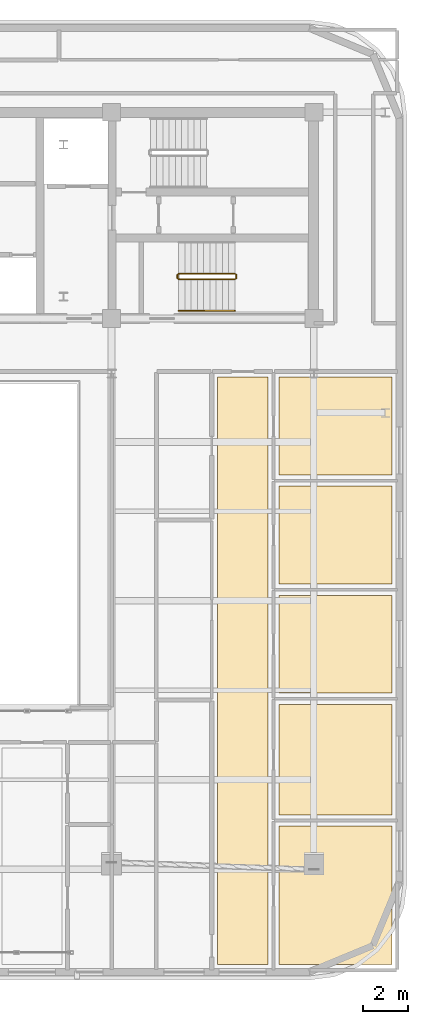
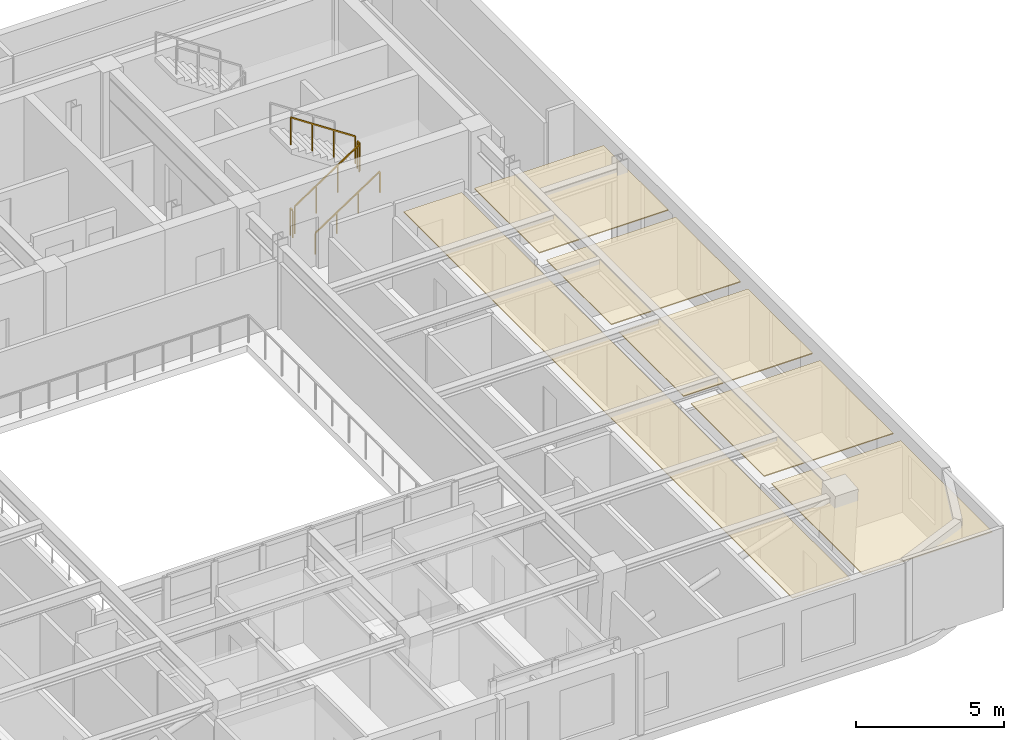
# One storey, part 13 of 14: 6 coverings, 5 railings.
"""IFC4 building model written with IfcOpenShell, lengths in metres."""

from ifc_helpers import new_model, si_unit, direction, frame, origin, origin_2d, place, context, subcontext, project, spatial, polyline, rectangle, outline, extrude, material, layer, layer_set, type_object, element, save


model = new_model("IFC4")

# Units and contexts
model_context = context("Model", 3, precision=1e-05, world=origin(), true_north=direction((0.0, 1.0)))
body_context = subcontext(model_context, "Body", "Model", "MODEL_VIEW")
ifc_project = project(units=[si_unit("LENGTHUNIT", "METRE"), si_unit("AREAUNIT", "SQUARE_METRE"), si_unit("VOLUMEUNIT", "CUBIC_METRE"), si_unit("PLANEANGLEUNIT", "RADIAN"), si_unit("MASSUNIT", "GRAM", prefix="KILO")], contexts=[model_context])

# Site, building, storey
site_placement = place(None, origin())
site = spatial("IfcSite", under=ifc_project, at=site_placement, CompositionType="ELEMENT")
building_placement = place(site_placement, origin())
building = spatial("IfcBuilding", under=site, at=building_placement, Name="Zarnavel Station Tower", CompositionType="ELEMENT")
storey_placement = place(building_placement, frame((0.0, 0.0, 251.0)))
storey = spatial("IfcBuildingStorey", under=building, at=storey_placement, Name="L68", CompositionType="ELEMENT", Elevation=251.0)

# Coverings
ifc_material_1 = material(Name="Perforated Gypsum and Mineral-Wool Acoustic Ceiling", Category="concrete")
ifc_layer = layer(ifc_material_1, 0.0400390625)
ifc_layer_set = layer_set([ifc_layer], Name="COV_CEIL_ACOUSTIC")
covering_type = type_object("IfcCoveringType", Name="COV_CEIL_ACOUSTIC", PredefinedType="CEILING", material=ifc_layer_set)
covering_1_placement = place(storey_placement, frame((0.0, 0.0, 3.10009765625)))
element("IfcCovering", 1, at=covering_1_placement, inside=storey, type_object=covering_type, Name="L68 UE1LV Acoustic Ceiling", PredefinedType="CEILING", context=body_context, shape_type="SweptSolid", body=[
    extrude(outline(polyline([(41.08203125, -1.090087890625), (43.343994140625, -1.090087890625), (43.343994140625, 25.199951171875), (41.08203125, 25.199951171875), (41.08203125, -1.090087890625)])), origin(), (0.0, 0.0, 1.0), 0.039794921875),
])
covering_2_placement = place(storey_placement, frame((0.0, 0.0, 3.10009765625)))
element("IfcCovering", 2, at=covering_2_placement, inside=storey, type_object=covering_type, Name="L68 UE1B1 Acoustic Ceiling", PredefinedType="CEILING", context=body_context, shape_type="SweptSolid", body=[
    extrude(outline(polyline([(43.843994140625, -1.090087890625), (48.889892578125, -1.090087890625), (48.889892578125, 5.10693359375), (43.843994140625, 5.10693359375), (43.843994140625, -1.090087890625)])), origin(), (0.0, 0.0, 1.0), 0.039794921875),
])
covering_3_placement = place(storey_placement, frame((0.0, 0.0, 3.10009765625)))
element("IfcCovering", 3, at=covering_3_placement, inside=storey, type_object=covering_type, Name="L68 UE1B2 Acoustic Ceiling", PredefinedType="CEILING", context=body_context, shape_type="SweptSolid", body=[
    extrude(outline(polyline([(43.843994140625, 5.60693359375), (48.889892578125, 5.60693359375), (48.889892578125, 10.555908203125), (43.843994140625, 10.555908203125), (43.843994140625, 5.60693359375)])), origin(), (0.0, 0.0, 1.0), 0.039794921875),
])
covering_4_placement = place(storey_placement, frame((0.0, 0.0, 3.10009765625)))
element("IfcCovering", 4, at=covering_4_placement, inside=storey, type_object=covering_type, Name="L68 UE1B3 Acoustic Ceiling", PredefinedType="CEILING", context=body_context, shape_type="SweptSolid", body=[
    extrude(outline(polyline([(43.843994140625, 11.055908203125), (48.889892578125, 11.055908203125), (48.889892578125, 15.43701171875), (43.843994140625, 15.43701171875), (43.843994140625, 11.055908203125)])), origin(), (0.0, 0.0, 1.0), 0.039794921875),
])
covering_5_placement = place(storey_placement, frame((0.0, 0.0, 3.10009765625)))
element("IfcCovering", 5, at=covering_5_placement, inside=storey, type_object=covering_type, Name="L68 UE1B4 Acoustic Ceiling", PredefinedType="CEILING", context=body_context, shape_type="SweptSolid", body=[
    extrude(outline(polyline([(43.843994140625, 15.93701171875), (48.889892578125, 15.93701171875), (48.889892578125, 20.318115234375), (43.843994140625, 20.318115234375), (43.843994140625, 15.93701171875)])), origin(), (0.0, 0.0, 1.0), 0.039794921875),
])
covering_6_placement = place(storey_placement, frame((0.0, 0.0, 3.10009765625)))
element("IfcCovering", 6, at=covering_6_placement, inside=storey, type_object=covering_type, Name="L68 UE1B5 Acoustic Ceiling", PredefinedType="CEILING", context=body_context, shape_type="SweptSolid", body=[
    extrude(outline(polyline([(43.843994140625, 20.818115234375), (48.889892578125, 20.818115234375), (48.889892578125, 25.199951171875), (43.843994140625, 25.199951171875), (43.843994140625, 20.818115234375)])), origin(), (0.0, 0.0, 1.0), 0.039794921875),
])

# Railings
ifc_material_2 = material(Name="Painted Steel S355J2 Balustrade", Category="steel")
railing_type_1 = type_object("IfcRailingType", Name="GR_INT_1150", PredefinedType="GUARDRAIL", material=ifc_material_2)
railing_1_placement = place(storey_placement, frame((39.35009765625, 29.570068359375, 0.18505859375)))
element("IfcRailing", 7, at=railing_1_placement, inside=storey, type_object=railing_type_1, Name="L68 ST3 stair guard 1", PredefinedType="GUARDRAIL", context=body_context, shape_type="SweptSolid", body=[
    extrude(rectangle(XDim=0.048095703125, YDim=0.048095703125, at=origin_2d()), frame((0.001708984375, 0.0, 1.126953125), z_axis=(0.834331337432, 0.0, 0.55126329406), x_axis=(0.0, 1.0, 0.0)), (0.0, 0.0, 1.0), 3.016357421875),
    extrude(rectangle(XDim=0.0419921875, YDim=0.0419921875, at=origin_2d()), origin(), (0.0, 0.0, 1.0), 1.101806640625),
    extrude(rectangle(XDim=0.0419921875, YDim=0.0419921875, at=origin_2d()), frame((0.840087890625, 0.0, 0.554931640625)), (0.0, 0.0, 1.0), 1.101806640625),
    extrude(rectangle(XDim=0.0419921875, YDim=0.0419921875, at=origin_2d()), frame((1.679931640625, 0.0, 1.110107421875)), (0.0, 0.0, 1.0), 1.101806640625),
    extrude(rectangle(XDim=0.0419921875, YDim=0.0419921875, at=origin_2d()), frame((2.52001953125, 0.0, 1.6650390625)), (0.0, 0.0, 1.0), 1.101806640625),
])
railing_2_placement = place(storey_placement, frame((41.919921875, 29.6201171875, 1.85009765625)))
element("IfcRailing", 8, at=railing_2_placement, inside=storey, type_object=railing_type_1, Name="L68 ST3 stair guard 2", PredefinedType="GUARDRAIL", context=body_context, shape_type="SweptSolid", body=[
    extrude(rectangle(XDim=0.048095703125, YDim=0.048095703125, at=origin_2d()), frame((0.0, 0.001953125, 1.1259765625), z_axis=(0.0, 1.0, 0.0), x_axis=(-1.0, 0.0, 0.0)), (0.0, 0.0, 1.0), 0.156005859375),
    extrude(rectangle(XDim=0.0419921875, YDim=0.0419921875, at=origin_2d()), origin(), (0.0, 0.0, 1.0), 1.101806640625),
    extrude(rectangle(XDim=0.0419921875, YDim=0.0419921875, at=origin_2d()), frame((0.0, 0.159912109375, 0.0)), (0.0, 0.0, 1.0), 1.101806640625),
])
railing_3_placement = place(storey_placement, frame((41.8701171875, 29.830078125, 2.034912109375)))
element("IfcRailing", 9, at=railing_3_placement, inside=storey, type_object=railing_type_1, Name="L68 ST3 stair guard 3", PredefinedType="GUARDRAIL", context=body_context, shape_type="SweptSolid", body=[
    extrude(rectangle(XDim=0.048095703125, YDim=0.048095703125, at=origin_2d()), frame((-0.001708984375, 0.0, 1.126953125), z_axis=(-0.834331337432, 0.0, 0.55126329406), x_axis=(0.0, -1.0, 0.0)), (0.0, 0.0, 1.0), 3.016357421875),
    extrude(rectangle(XDim=0.0419921875, YDim=0.0419921875, at=origin_2d()), origin(), (0.0, 0.0, 1.0), 1.101806640625),
    extrude(rectangle(XDim=0.0419921875, YDim=0.0419921875, at=origin_2d()), frame((-0.840087890625, 0.0, 0.554931640625)), (0.0, 0.0, 1.0), 1.101806640625),
    extrude(rectangle(XDim=0.0419921875, YDim=0.0419921875, at=origin_2d()), frame((-1.679931640625, 0.0, 1.110107421875)), (0.0, 0.0, 1.0), 1.101806640625),
    extrude(rectangle(XDim=0.0419921875, YDim=0.0419921875, at=origin_2d()), frame((-2.52001953125, 0.0, 1.6650390625)), (0.0, 0.0, 1.0), 1.101806640625),
])
railing_4_placement = place(storey_placement, frame((39.300048828125, 29.6201171875, 0.0)))
element("IfcRailing", 10, at=railing_4_placement, inside=storey, type_object=railing_type_1, Name="L68 ST3 stair guard 4", PredefinedType="GUARDRAIL", context=body_context, shape_type="SweptSolid", body=[
    extrude(rectangle(XDim=0.048095703125, YDim=0.048095703125, at=origin_2d()), frame((0.0, 0.001953125, 1.1259765625), z_axis=(0.0, 1.0, 0.0), x_axis=(-1.0, 0.0, 0.0)), (0.0, 0.0, 1.0), 0.156005859375),
    extrude(rectangle(XDim=0.0419921875, YDim=0.0419921875, at=origin_2d()), origin(), (0.0, 0.0, 1.0), 1.101806640625),
    extrude(rectangle(XDim=0.0419921875, YDim=0.0419921875, at=origin_2d()), frame((0.0, 0.159912109375, 0.0)), (0.0, 0.0, 1.0), 1.101806640625),
])
ifc_material_3 = material(Name="Brushed Stainless Steel S355J2 Handrail", Category="steel")
railing_type_2 = type_object("IfcRailingType", Name="HR_STAIR_900", PredefinedType="HANDRAIL", material=ifc_material_3)
railing_5_placement = place(storey_placement, frame((39.35009765625, 28.169921875, 0.18505859375)))
element("IfcRailing", 11, at=railing_5_placement, inside=storey, type_object=railing_type_2, Name="L68 ST3 stair handrail 1", PredefinedType="HANDRAIL", context=body_context, shape_type="SweptSolid", body=[
    extrude(rectangle(XDim=0.048095703125, YDim=0.048095703125, at=origin_2d()), frame((0.001708984375, 0.0, 0.876953125), z_axis=(0.834331337432, 0.0, 0.55126329406), x_axis=(0.0, 1.0, 0.0)), (0.0, 0.0, 1.0), 3.016357421875),
    extrude(rectangle(XDim=0.0419921875, YDim=0.0419921875, at=origin_2d()), origin(), (0.0, 0.0, 1.0), 0.851806640625),
    extrude(rectangle(XDim=0.0419921875, YDim=0.0419921875, at=origin_2d()), frame((0.840087890625, 0.0, 0.554931640625)), (0.0, 0.0, 1.0), 0.851806640625),
    extrude(rectangle(XDim=0.0419921875, YDim=0.0419921875, at=origin_2d()), frame((1.679931640625, 0.0, 1.110107421875)), (0.0, 0.0, 1.0), 0.851806640625),
    extrude(rectangle(XDim=0.0419921875, YDim=0.0419921875, at=origin_2d()), frame((2.52001953125, 0.0, 1.6650390625)), (0.0, 0.0, 1.0), 0.851806640625),
])

save(model, "model.ifc")
